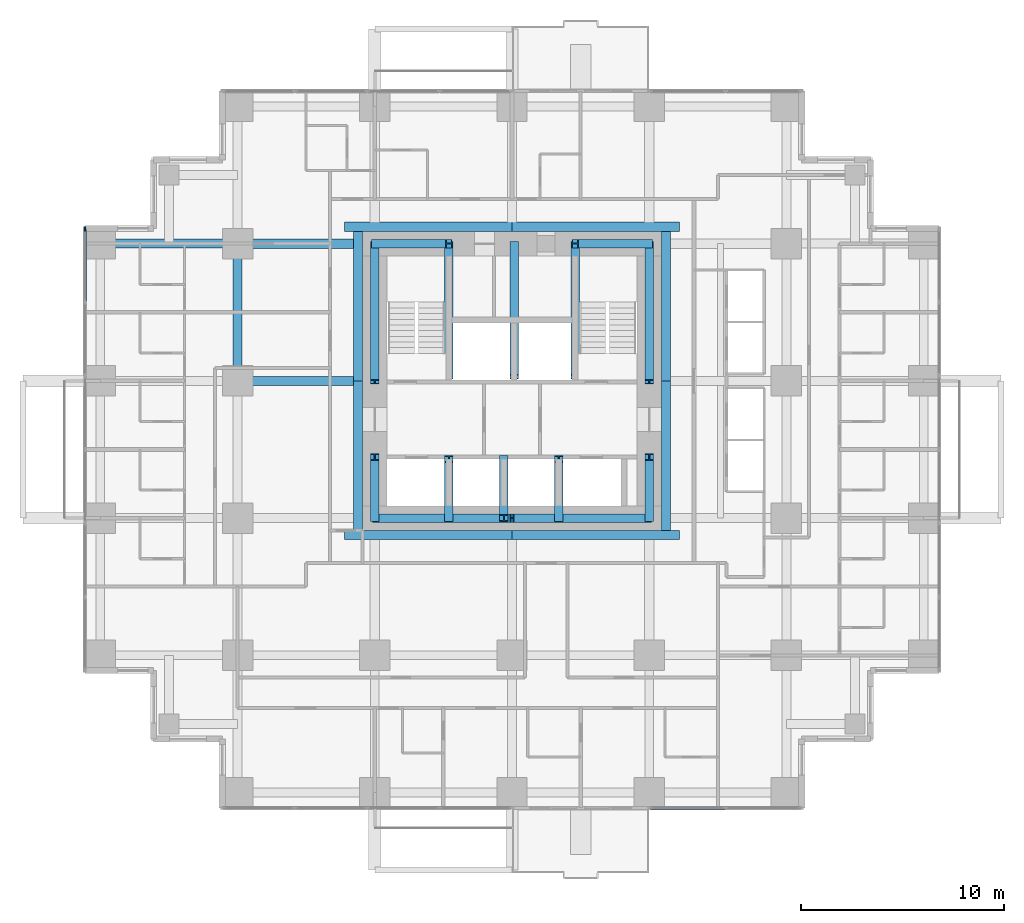
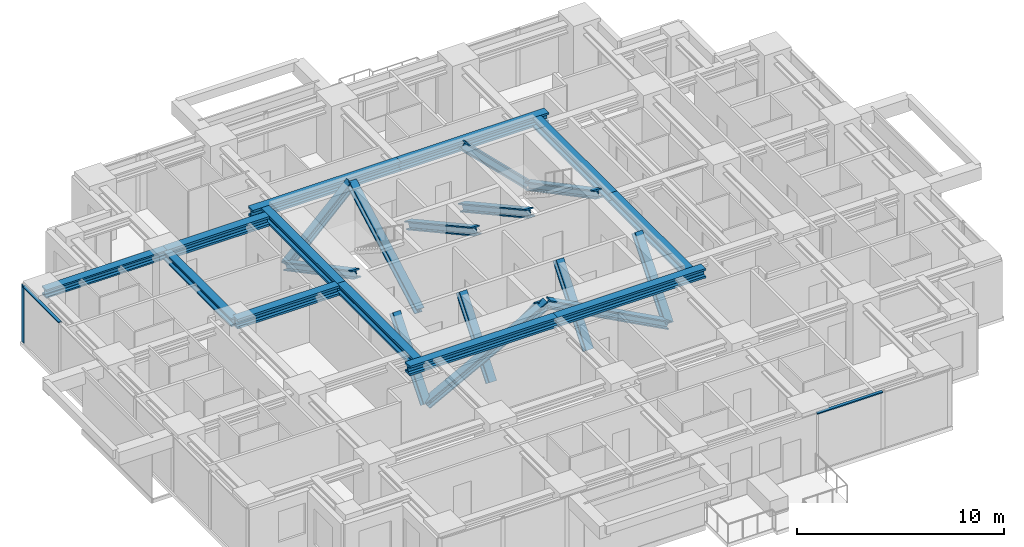
# One storey, part 3 of 12: 17 members, 12 beams, 2 elements without a shape of their own.
"""IFC4 building model written with IfcOpenShell, lengths in metres."""

from ifc_helpers import new_model, si_unit, direction, frame, origin, origin_2d, place, context, subcontext, project, spatial, rectangle, i_section, extrude, material, material_profile, profile_set, type_object, element, aggregate, save


model = new_model("IFC4")

# Units and contexts
model_context = context("Model", 3, precision=1e-05, world=origin(), true_north=direction((0.0, 1.0)))
body_context = subcontext(model_context, "Body", "Model", "MODEL_VIEW")
ifc_project = project(units=[si_unit("LENGTHUNIT", "METRE"), si_unit("AREAUNIT", "SQUARE_METRE"), si_unit("VOLUMEUNIT", "CUBIC_METRE"), si_unit("PLANEANGLEUNIT", "RADIAN"), si_unit("MASSUNIT", "GRAM", prefix="KILO")], contexts=[model_context])

# Site, building, storey
site_placement = place(None, origin())
site = spatial("IfcSite", under=ifc_project, at=site_placement, CompositionType="ELEMENT")
building_placement = place(site_placement, origin())
building = spatial("IfcBuilding", under=site, at=building_placement, Name="Nyansa Garden Tower", CompositionType="ELEMENT")
storey_placement = place(building_placement, frame((0.0, 0.0, 126.89990234375)))
storey = spatial("IfcBuildingStorey", under=building, at=storey_placement, Name="L34", CompositionType="ELEMENT", Elevation=126.89990234375)

# Curtain wall, member
ifc_material_1 = material(Name="Black anodised aluminium, dark tinted double glazing", Category="aluminium")
curtain_wall_type = type_object("IfcCurtainWallType", Name="Inner skin curtain wall ISW-B", PredefinedType="USERDEFINED", material=ifc_material_1)
curtain_wall_1_placement = place(storey_placement, origin())
curtain_wall_1 = element("IfcCurtainWall", 1, at=curtain_wall_1_placement, inside=storey, type_object=curtain_wall_type, Name="Inner skin curtain wall L34 W", ObjectType="UNITISED CURTAIN WALL", PredefinedType="USERDEFINED")
ifc_material_2 = material(Name="Black anodised aluminium", Category="aluminium")
ifc_material_profile_1 = material_profile(ifc_material_2, rectangle(XDim=0.06494140625, YDim=0.22509765625, at=origin_2d()), Name="Mullion 225x65")
ifc_profile_set_1 = profile_set([ifc_material_profile_1], Name="Black anodised aluminium")
member_type_1 = type_object("IfcMemberType", Name="Mullion ISW-B 225x65", PredefinedType="MULLION", material=ifc_profile_set_1)
member_1_placement = place(storey_placement, frame((-0.75, 27.717529296875, 0.0), z_axis=(0.0, 0.0, 1.0), x_axis=(1.0, 0.0, 0.0)))
member_1 = element("IfcMember", 2, at=member_1_placement, type_object=member_type_1, Name="ISW-B mullion 1", PredefinedType="MULLION", context=body_context, shape_type="SweptSolid", body=[
    extrude(rectangle(XDim=0.06494140625, YDim=0.22509765625, at=origin_2d()), origin(), (0.0, 0.0, 1.0), 3.375),
])

# Members
ifc_material_3 = material(Name="Steel S355", Category="steel")
ifc_material_profile_2 = material_profile(ifc_material_3, i_section(OverallWidth=0.41796875, OverallDepth=0.455078125, WebThickness=0.0419921875, FlangeThickness=0.067626953125, FilletRadius=0.014892578125, at=origin_2d()), Name="HD 400x463")
ifc_profile_set_2 = profile_set([ifc_material_profile_2], Name="Steel S355")
member_type_2 = type_object("IfcMemberType", Name="Perimeter brace HD 400x463", PredefinedType="BRACE", material=ifc_profile_set_2)
for number, where, z_axis, x_axis, name in (
    (3, (13.5, 13.5, 0.0), (0.882347640589, 0.0, 0.47059817376), (0.0, 1.0, 0.0), "Core brace CS1 L34"),
    (4, (27.0, 13.5, 0.0), (-0.882347640589, 0.0, 0.47059817376), (0.0, -1.0, 0.0), "Core brace CS2 L34"),
):
    element("IfcMember", number, at=place(storey_placement, frame(where, z_axis=z_axis, x_axis=x_axis)), inside=storey, type_object=member_type_2, Name=name, PredefinedType="BRACE", context=body_context, shape_type="SweptSolid", body=[
        extrude(i_section(OverallWidth=0.41796875, OverallDepth=0.455078125, WebThickness=0.0419921875, FlangeThickness=0.067626953125, FilletRadius=0.014892578125, at=origin_2d()), origin(), (0.0, 0.0, 1.0), 7.650146484375),
    ])
for number, where, z_axis, x_axis, name in (
    (5, (13.5, 27.0, 0.0), (0.711947531702, 0.0, 0.702232662373), (0.0, 1.0, 0.0), "Core brace CN3 L34"),
    (6, (27.0, 27.0, 0.0), (-0.711947531702, 0.0, 0.702232662373), (0.0, -1.0, 0.0), "Core brace CN4 L34"),
):
    element("IfcMember", number, at=place(storey_placement, frame(where, z_axis=z_axis, x_axis=x_axis)), inside=storey, type_object=member_type_2, Name=name, PredefinedType="BRACE", context=body_context, shape_type="SweptSolid", body=[
        extrude(i_section(OverallWidth=0.41796875, OverallDepth=0.455078125, WebThickness=0.0419921875, FlangeThickness=0.067626953125, FilletRadius=0.014892578125, at=origin_2d()), origin(), (0.0, 0.0, 1.0), 5.126708984375),
    ])
member_2_placement = place(storey_placement, frame((13.5, 13.5, 0.0), z_axis=(0.0, 0.640174150918, 0.768229820104), x_axis=(-1.0, 0.0, 0.0)))
element("IfcMember", 7, at=member_2_placement, inside=storey, type_object=member_type_2, Name="Core brace CW5 L34", PredefinedType="BRACE", context=body_context, shape_type="SweptSolid", body=[
    extrude(i_section(OverallWidth=0.41796875, OverallDepth=0.455078125, WebThickness=0.0419921875, FlangeThickness=0.067626953125, FilletRadius=0.014892578125, at=origin_2d()), origin(), (0.0, 0.0, 1.0), 4.686279296875),
])
member_3_placement = place(storey_placement, frame((13.5, 27.0, 0.0), z_axis=(0.0, -0.883784057226, 0.467895009796), x_axis=(1.0, 0.0, 0.0)))
element("IfcMember", 8, at=member_3_placement, inside=storey, type_object=member_type_2, Name="Core brace CW6 L34", PredefinedType="BRACE", context=body_context, shape_type="SweptSolid", body=[
    extrude(i_section(OverallWidth=0.41796875, OverallDepth=0.455078125, WebThickness=0.0419921875, FlangeThickness=0.067626953125, FilletRadius=0.014892578125, at=origin_2d()), origin(), (0.0, 0.0, 1.0), 7.6943359375),
])
member_4_placement = place(storey_placement, frame((27.0, 13.5, 0.0), z_axis=(0.0, 0.640174150918, 0.768229820104), x_axis=(-1.0, 0.0, 0.0)))
element("IfcMember", 9, at=member_4_placement, inside=storey, type_object=member_type_2, Name="Core brace CE7 L34", PredefinedType="BRACE", context=body_context, shape_type="SweptSolid", body=[
    extrude(i_section(OverallWidth=0.41796875, OverallDepth=0.455078125, WebThickness=0.0419921875, FlangeThickness=0.067626953125, FilletRadius=0.014892578125, at=origin_2d()), origin(), (0.0, 0.0, 1.0), 4.686279296875),
])
member_5_placement = place(storey_placement, frame((27.0, 27.0, 0.0), z_axis=(0.0, -0.883784057226, 0.467895009796), x_axis=(1.0, 0.0, 0.0)))
element("IfcMember", 10, at=member_5_placement, inside=storey, type_object=member_type_2, Name="Core brace CE8 L34", PredefinedType="BRACE", context=body_context, shape_type="SweptSolid", body=[
    extrude(i_section(OverallWidth=0.41796875, OverallDepth=0.455078125, WebThickness=0.0419921875, FlangeThickness=0.067626953125, FilletRadius=0.014892578125, at=origin_2d()), origin(), (0.0, 0.0, 1.0), 7.6943359375),
])
for number, where, z_axis, x_axis, name in (
    (11, (17.14990234375, 20.449951171875, 0.0), (0.0, 0.876353113771, 0.481669201822), (-1.0, 0.0, 0.0), "Core brace CWS9 L34"),
    (12, (23.35009765625, 27.0, 0.0), (0.0, -0.876353113771, 0.481669201822), (1.0, 0.0, 0.0), "Core brace CES10 L34"),
):
    element("IfcMember", number, at=place(storey_placement, frame(where, z_axis=z_axis, x_axis=x_axis)), inside=storey, type_object=member_type_2, Name=name, PredefinedType="BRACE", context=body_context, shape_type="SweptSolid", body=[
        extrude(i_section(OverallWidth=0.41796875, OverallDepth=0.455078125, WebThickness=0.0419921875, FlangeThickness=0.067626953125, FilletRadius=0.014892578125, at=origin_2d()), origin(), (0.0, 0.0, 1.0), 7.47412109375),
    ])
for number, where, z_axis, x_axis, name in (
    (13, (17.14990234375, 13.5, 0.0), (0.0, 0.627306405886, 0.778772542617), (-1.0, 0.0, 0.0), "Core brace CSW11 L34"),
    (14, (19.85009765625, 16.39990234375, 0.0), (0.0, -0.627306405886, 0.778772542617), (1.0, 0.0, 0.0), "Core brace CSW12 L34"),
    (15, (22.550048828125, 13.5, 0.0), (0.0, 0.627306405886, 0.778772542617), (-1.0, 0.0, 0.0), "Core brace CSW13 L34"),
):
    element("IfcMember", number, at=place(storey_placement, frame(where, z_axis=z_axis, x_axis=x_axis)), inside=storey, type_object=member_type_2, Name=name, PredefinedType="BRACE", context=body_context, shape_type="SweptSolid", body=[
        extrude(i_section(OverallWidth=0.41796875, OverallDepth=0.455078125, WebThickness=0.0419921875, FlangeThickness=0.067626953125, FilletRadius=0.014892578125, at=origin_2d()), origin(), (0.0, 0.0, 1.0), 4.622802734375),
    ])
member_6_placement = place(storey_placement, frame((20.35009765625, 27.0, 0.0), z_axis=(0.0, -0.876353113771, 0.481669201822), x_axis=(1.0, 0.0, 0.0)))
element("IfcMember", 16, at=member_6_placement, inside=storey, type_object=member_type_2, Name="Core brace CNW14 L34", PredefinedType="BRACE", context=body_context, shape_type="SweptSolid", body=[
    extrude(i_section(OverallWidth=0.41796875, OverallDepth=0.455078125, WebThickness=0.0419921875, FlangeThickness=0.067626953125, FilletRadius=0.014892578125, at=origin_2d()), origin(), (0.0, 0.0, 1.0), 7.47412109375),
])

# Beams
ifc_material_4 = material(Name="Steel S355", Category="steel")
ifc_material_profile_3 = material_profile(ifc_material_4, i_section(OverallWidth=0.431884765625, OverallDepth=0.498046875, WebThickness=0.0556640625, FlangeThickness=0.0888671875, FilletRadius=0.014892578125, at=origin_2d()), Name="HD 400x744")
ifc_profile_set_3 = profile_set([ifc_material_profile_3], Name="Steel S355")
beam_type_1 = type_object("IfcBeamType", Name="Steel beam SBB1-744 HD 400x744", PredefinedType="BEAM", material=ifc_profile_set_3)
for number, where, z_axis, x_axis, name in (
    (17, (0.0, 27.0, 3.1259765625), (1.0, 0.0, 0.0), (0.0, 1.0, 0.0), "Steel beam 2/H-3/H L35"),
    (18, (6.75, 20.25, 3.1259765625), (0.0, 1.0, 0.0), (-1.0, 0.0, 0.0), "Steel beam 3/G-3/H L35"),
):
    element("IfcBeam", number, at=place(storey_placement, frame(where, z_axis=z_axis, x_axis=x_axis)), inside=storey, type_object=beam_type_1, Name=name, PredefinedType="BEAM", context=body_context, shape_type="SweptSolid", body=[
        extrude(i_section(OverallWidth=0.431884765625, OverallDepth=0.498046875, WebThickness=0.0556640625, FlangeThickness=0.0888671875, FilletRadius=0.014892578125, at=origin_2d()), origin(), (0.0, 0.0, 1.0), 6.75),
    ])
ifc_material_5 = material(Name="Steel S355", Category="steel")
ifc_material_profile_4 = material_profile(ifc_material_5, i_section(OverallWidth=0.4541015625, OverallDepth=0.569091796875, WebThickness=0.077880859375, FlangeThickness=0.125, FilletRadius=0.014892578125, at=origin_2d()), Name="HD 400x1086")
ifc_profile_set_4 = profile_set([ifc_material_profile_4], Name="Steel S355")
beam_type_2 = type_object("IfcBeamType", Name="Steel beam SCL-1086 HD 400x1086", PredefinedType="BEAM", material=ifc_profile_set_4)
for number, where, z_axis, x_axis, name in (
    (19, (6.75, 20.25, 3.090576171875), (1.0, 0.0, 0.0), (0.0, 1.0, 0.0), "Steel beam 3/G-12.450/G L35"),
    (20, (6.75, 27.0, 3.090576171875), (1.0, 0.0, 0.0), (0.0, 1.0, 0.0), "Steel beam 3/H-12.450/H L35"),
):
    element("IfcBeam", number, at=place(storey_placement, frame(where, z_axis=z_axis, x_axis=x_axis)), inside=storey, type_object=beam_type_2, Name=name, PredefinedType="BEAM", context=body_context, shape_type="SweptSolid", body=[
        extrude(i_section(OverallWidth=0.4541015625, OverallDepth=0.569091796875, WebThickness=0.077880859375, FlangeThickness=0.125, FilletRadius=0.014892578125, at=origin_2d()), origin(), (0.0, 0.0, 1.0), 5.699951171875),
    ])
for number, where, z_axis, x_axis, name in (
    (21, (12.0, 12.673095703125, 3.090576171875), (1.0, 0.0, 0.0), (0.0, 1.0, 0.0), "Steel core ledger beam S.1 L35"),
    (22, (20.25, 12.673095703125, 3.090576171875), (1.0, 0.0, 0.0), (0.0, 1.0, 0.0), "Steel core ledger beam S.2 L35"),
):
    element("IfcBeam", number, at=place(storey_placement, frame(where, z_axis=z_axis, x_axis=x_axis)), inside=storey, type_object=beam_type_2, Name=name, PredefinedType="BEAM", context=body_context, shape_type="SweptSolid", body=[
        extrude(i_section(OverallWidth=0.4541015625, OverallDepth=0.569091796875, WebThickness=0.077880859375, FlangeThickness=0.125, FilletRadius=0.014892578125, at=origin_2d()), origin(), (0.0, 0.0, 1.0), 8.25),
    ])
for number, where, z_axis, x_axis, name in (
    (23, (27.826904296875, 12.89990234375, 3.090576171875), (0.0, 1.0, 0.0), (-1.0, 0.0, 0.0), "Steel core ledger beam E.1 L35"),
    (24, (27.826904296875, 20.25, 3.090576171875), (0.0, 1.0, 0.0), (-1.0, 0.0, 0.0), "Steel core ledger beam E.2 L35"),
):
    element("IfcBeam", number, at=place(storey_placement, frame(where, z_axis=z_axis, x_axis=x_axis)), inside=storey, type_object=beam_type_2, Name=name, PredefinedType="BEAM", context=body_context, shape_type="SweptSolid", body=[
        extrude(i_section(OverallWidth=0.4541015625, OverallDepth=0.569091796875, WebThickness=0.077880859375, FlangeThickness=0.125, FilletRadius=0.014892578125, at=origin_2d()), origin(), (0.0, 0.0, 1.0), 7.35009765625),
    ])
for number, where, z_axis, x_axis, name in (
    (25, (28.5, 27.826904296875, 3.090576171875), (-1.0, 0.0, 0.0), (0.0, -1.0, 0.0), "Steel core ledger beam N.1 L35"),
    (26, (20.25, 27.826904296875, 3.090576171875), (-1.0, 0.0, 0.0), (0.0, -1.0, 0.0), "Steel core ledger beam N.2 L35"),
):
    element("IfcBeam", number, at=place(storey_placement, frame(where, z_axis=z_axis, x_axis=x_axis)), inside=storey, type_object=beam_type_2, Name=name, PredefinedType="BEAM", context=body_context, shape_type="SweptSolid", body=[
        extrude(i_section(OverallWidth=0.4541015625, OverallDepth=0.569091796875, WebThickness=0.077880859375, FlangeThickness=0.125, FilletRadius=0.014892578125, at=origin_2d()), origin(), (0.0, 0.0, 1.0), 8.25),
    ])
for number, where, z_axis, x_axis, name in (
    (27, (12.673095703125, 27.60009765625, 3.090576171875), (0.0, -1.0, 0.0), (1.0, 0.0, 0.0), "Steel core ledger beam W.1 L35"),
    (28, (12.673095703125, 20.25, 3.090576171875), (0.0, -1.0, 0.0), (1.0, 0.0, 0.0), "Steel core ledger beam W.2 L35"),
):
    element("IfcBeam", number, at=place(storey_placement, frame(where, z_axis=z_axis, x_axis=x_axis)), inside=storey, type_object=beam_type_2, Name=name, PredefinedType="BEAM", context=body_context, shape_type="SweptSolid", body=[
        extrude(i_section(OverallWidth=0.4541015625, OverallDepth=0.569091796875, WebThickness=0.077880859375, FlangeThickness=0.125, FilletRadius=0.014892578125, at=origin_2d()), origin(), (0.0, 0.0, 1.0), 7.35009765625),
    ])

# Member
ifc_material_6 = material(Name="Black anodised aluminium", Category="aluminium")
ifc_material_profile_5 = material_profile(ifc_material_6, rectangle(XDim=0.1650390625, YDim=0.06494140625, at=origin_2d()), Name="Transom 165x65")
ifc_profile_set_5 = profile_set([ifc_material_profile_5], Name="Black anodised aluminium")
member_type_3 = type_object("IfcMemberType", Name="Transom ISW-B 165x65", PredefinedType="USERDEFINED", material=ifc_profile_set_5)
member_7_placement = place(storey_placement, frame((-0.75, 27.68505859375, 3.342529296875), z_axis=(0.0, -1.0, 0.0), x_axis=(1.0, 0.0, 0.0)))
member_7 = element("IfcMember", 29, at=member_7_placement, type_object=member_type_3, Name="ISW-B transom 1", ObjectType="TRANSOM", PredefinedType="USERDEFINED", context=body_context, shape_type="SweptSolid", body=[
    extrude(rectangle(XDim=0.1650390625, YDim=0.06494140625, at=origin_2d()), origin(), (0.0, 0.0, 1.0), 3.527587890625),
])

aggregate(curtain_wall_1, [member_1, member_7])

# Curtain wall, member
curtain_wall_2_placement = place(storey_placement, origin())
curtain_wall_2 = element("IfcCurtainWall", 30, at=curtain_wall_2_placement, inside=storey, type_object=curtain_wall_type, Name="Inner skin curtain wall L34 S", ObjectType="UNITISED CURTAIN WALL", PredefinedType="USERDEFINED")
member_8_placement = place(storey_placement, frame((27.06494140625, -0.75, 3.342529296875), z_axis=(1.0, 0.0, 0.0), x_axis=(0.0, 1.0, 0.0)))
member_8 = element("IfcMember", 31, at=member_8_placement, type_object=member_type_3, Name="ISW-B transom 1", ObjectType="TRANSOM", PredefinedType="USERDEFINED", context=body_context, shape_type="SweptSolid", body=[
    extrude(rectangle(XDim=0.1650390625, YDim=0.06494140625, at=origin_2d()), origin(), (0.0, 0.0, 1.0), 3.652587890625),
])
aggregate(curtain_wall_2, [member_8])

save(model, "model.ifc")
